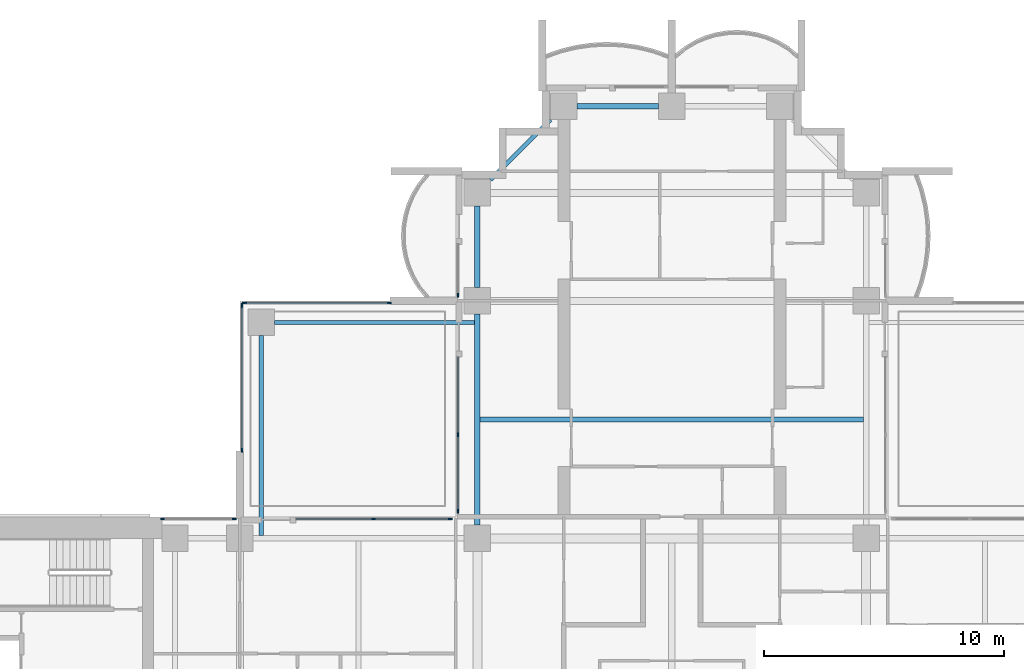
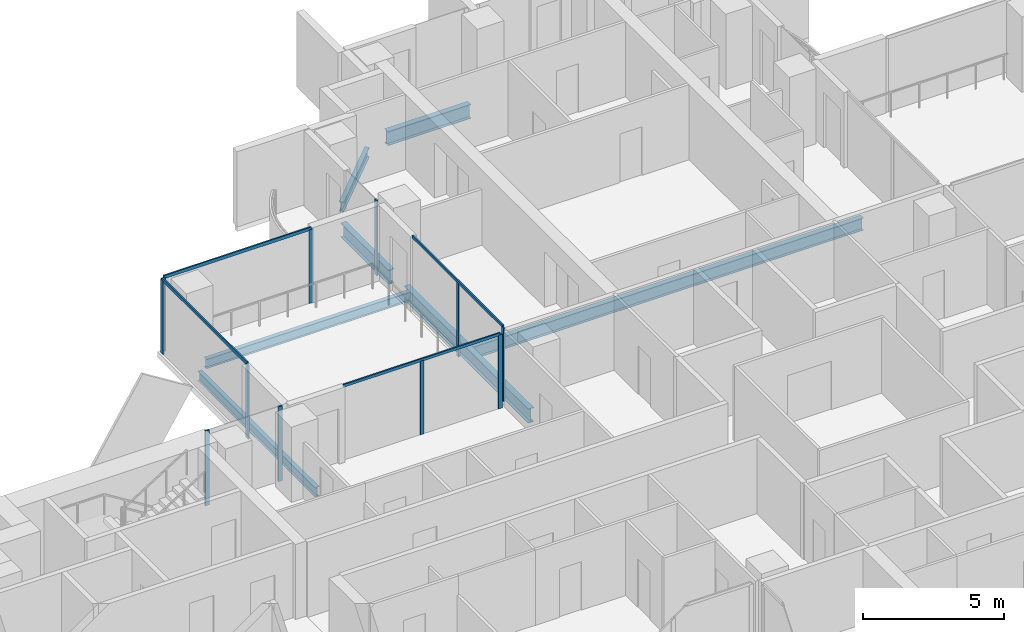
# One storey, part 5 of 19: 15 members, 7 beams, 6 elements without a shape of their own.
"""IFC4 building model written with IfcOpenShell, lengths in metres."""

from ifc_helpers import new_model, si_unit, direction, frame, origin, origin_2d, place, context, subcontext, project, spatial, rectangle, i_section, extrude, material, material_profile, profile_set, type_object, element, aggregate, save


model = new_model("IFC4")

# Units and contexts
model_context = context("Model", 3, precision=1e-05, world=origin(), true_north=direction((0.0, 1.0)))
body_context = subcontext(model_context, "Body", "Model", "MODEL_VIEW")
ifc_project = project(units=[si_unit("LENGTHUNIT", "METRE"), si_unit("AREAUNIT", "SQUARE_METRE"), si_unit("VOLUMEUNIT", "CUBIC_METRE"), si_unit("PLANEANGLEUNIT", "RADIAN"), si_unit("MASSUNIT", "GRAM", prefix="KILO")], contexts=[model_context])

# Site, building, storey
site_placement = place(None, origin())
site = spatial("IfcSite", under=ifc_project, at=site_placement, CompositionType="ELEMENT")
building_placement = place(site_placement, origin())
building = spatial("IfcBuilding", under=site, at=building_placement, Name="Perihelion Cross Residences", CompositionType="ELEMENT")
storey_placement = place(building_placement, frame((0.0, 0.0, 116.39990234375)))
storey = spatial("IfcBuildingStorey", under=building, at=storey_placement, Name="L27", CompositionType="ELEMENT", Elevation=116.39990234375)

# Curtain wall, member
ifc_material_1 = material(Name="Bronze anodised aluminium, tinted glazing", Category="aluminium")
curtain_wall_type_1 = type_object("IfcCurtainWallType", Name="CW1", PredefinedType="NOTDEFINED", material=ifc_material_1)
curtain_wall_1_placement = place(storey_placement, origin())
curtain_wall_1 = element("IfcCurtainWall", 1, at=curtain_wall_1_placement, inside=storey, type_object=curtain_wall_type_1, Name="Curtain wall CW1 L27 north side west bay 1", PredefinedType="NOTDEFINED")
ifc_material_2 = material(Name="Bronze anodised aluminium", Category="aluminium")
ifc_material_profile_1 = material_profile(ifc_material_2, rectangle(XDim=0.06005859375, YDim=0.159912109375, at=origin_2d()), Name="CW1 mullion")
ifc_profile_set_1 = profile_set([ifc_material_profile_1], Name="Bronze anodised aluminium")
member_type_1 = type_object("IfcMemberType", Name="CW1 mullion", PredefinedType="MULLION", material=ifc_profile_set_1)
member_1_placement = place(storey_placement, frame((-8.89990234375, 18.22998046875, 0.0), z_axis=(0.0, 0.0, 1.0), x_axis=(1.0, 0.0, 0.0)))
member_1 = element("IfcMember", 2, at=member_1_placement, type_object=member_type_1, Name="CW1 mullion 2", PredefinedType="MULLION", context=body_context, shape_type="SweptSolid", body=[
    extrude(rectangle(XDim=0.06005859375, YDim=0.159912109375, at=origin_2d()), origin(), (0.0, 0.0, 1.0), 3.25),
])
aggregate(curtain_wall_1, [member_1])

# Curtain wall, members
curtain_wall_2_placement = place(storey_placement, origin())
curtain_wall_2 = element("IfcCurtainWall", 3, at=curtain_wall_2_placement, inside=storey, type_object=curtain_wall_type_1, Name="Curtain wall CW1 L27 north side west bay 2", PredefinedType="NOTDEFINED")
member_2_placement = place(storey_placement, frame((-8.89990234375, 12.425048828125, 0.0), z_axis=(0.0, 0.0, 1.0), x_axis=(1.0, 0.0, 0.0)))
member_2 = element("IfcMember", 4, at=member_2_placement, type_object=member_type_1, Name="CW1 mullion 2", PredefinedType="MULLION", context=body_context, shape_type="SweptSolid", body=[
    extrude(rectangle(XDim=0.06005859375, YDim=0.159912109375, at=origin_2d()), origin(), (0.0, 0.0, 1.0), 3.190185546875),
])
member_3_placement = place(storey_placement, frame((-8.89990234375, 9.22998046875, 0.0), z_axis=(0.0, 0.0, 1.0), x_axis=(1.0, 0.0, 0.0)))
member_3 = element("IfcMember", 5, at=member_3_placement, type_object=member_type_1, Name="CW1 mullion 3", PredefinedType="MULLION", context=body_context, shape_type="SweptSolid", body=[
    extrude(rectangle(XDim=0.06005859375, YDim=0.159912109375, at=origin_2d()), origin(), (0.0, 0.0, 1.0), 3.190185546875),
])

curtain_wall_3_placement = place(storey_placement, origin())
curtain_wall_3 = element("IfcCurtainWall", 6, at=curtain_wall_3_placement, inside=storey, type_object=curtain_wall_type_1, Name="Curtain wall CW1 L27 west side north bay 1", PredefinedType="NOTDEFINED")
member_4_placement = place(storey_placement, frame((-9.22998046875, 8.89990234375, 0.0), z_axis=(0.0, 0.0, 1.0), x_axis=(0.0, -1.0, 0.0)))
member_4 = element("IfcMember", 7, at=member_4_placement, type_object=member_type_1, Name="CW1 mullion 1", PredefinedType="MULLION", context=body_context, shape_type="SweptSolid", body=[
    extrude(rectangle(XDim=0.06005859375, YDim=0.159912109375, at=origin_2d()), origin(), (0.0, 0.0, 1.0), 3.190185546875),
])
member_5_placement = place(storey_placement, frame((-12.425048828125, 8.89990234375, 0.0), z_axis=(0.0, 0.0, 1.0), x_axis=(0.0, -1.0, 0.0)))
member_5 = element("IfcMember", 8, at=member_5_placement, type_object=member_type_1, Name="CW1 mullion 2", PredefinedType="MULLION", context=body_context, shape_type="SweptSolid", body=[
    extrude(rectangle(XDim=0.06005859375, YDim=0.159912109375, at=origin_2d()), origin(), (0.0, 0.0, 1.0), 3.190185546875),
])

curtain_wall_4_placement = place(storey_placement, origin())
curtain_wall_4 = element("IfcCurtainWall", 9, at=curtain_wall_4_placement, inside=storey, type_object=curtain_wall_type_1, Name="Curtain wall CW1 L27 west side north bay 2", PredefinedType="NOTDEFINED")
member_6_placement = place(storey_placement, frame((-18.22998046875, 8.89990234375, 0.0), z_axis=(0.0, 0.0, 1.0), x_axis=(0.0, -1.0, 0.0)))
member_6 = element("IfcMember", 10, at=member_6_placement, type_object=member_type_1, Name="CW1 mullion 1", PredefinedType="MULLION", context=body_context, shape_type="SweptSolid", body=[
    extrude(rectangle(XDim=0.06005859375, YDim=0.159912109375, at=origin_2d()), origin(), (0.0, 0.0, 1.0), 3.25),
])
member_7_placement = place(storey_placement, frame((-21.219970703125, 8.89990234375, 0.0), z_axis=(0.0, 0.0, 1.0), x_axis=(0.0, -1.0, 0.0)))
member_7 = element("IfcMember", 11, at=member_7_placement, type_object=member_type_1, Name="CW1 mullion 2", PredefinedType="MULLION", context=body_context, shape_type="SweptSolid", body=[
    extrude(rectangle(XDim=0.06005859375, YDim=0.159912109375, at=origin_2d()), origin(), (0.0, 0.0, 1.0), 3.25),
])
aggregate(curtain_wall_4, [member_6, member_7])

# Member
ifc_material_3 = material(Name="Bronze anodised aluminium", Category="aluminium")
ifc_material_profile_2 = material_profile(ifc_material_3, rectangle(XDim=0.06005859375, YDim=0.1201171875, at=origin_2d()), Name="CW1 transom")
ifc_profile_set_2 = profile_set([ifc_material_profile_2], Name="Bronze anodised aluminium")
member_type_2 = type_object("IfcMemberType", Name="CW1 transom", PredefinedType="USERDEFINED", material=ifc_profile_set_2)
member_8_placement = place(storey_placement, frame((-8.89990234375, 15.64990234375, 3.22021484375), z_axis=(0.0, -1.0, 0.0), x_axis=(1.0, 0.0, 0.0)))
member_8 = element("IfcMember", 12, at=member_8_placement, type_object=member_type_2, Name="CW1 head transom", ObjectType="TRANSOM", PredefinedType="USERDEFINED", context=body_context, shape_type="SweptSolid", body=[
    extrude(rectangle(XDim=0.06005859375, YDim=0.1201171875, at=origin_2d()), origin(), (0.0, 0.0, 1.0), 6.419921875),
])

aggregate(curtain_wall_2, [member_2, member_3, member_8])

member_9_placement = place(storey_placement, frame((-9.22998046875, 8.89990234375, 3.22021484375), z_axis=(-1.0, 0.0, 0.0), x_axis=(0.0, -1.0, 0.0)))
member_9 = element("IfcMember", 13, at=member_9_placement, type_object=member_type_2, Name="CW1 head transom", ObjectType="TRANSOM", PredefinedType="USERDEFINED", context=body_context, shape_type="SweptSolid", body=[
    extrude(rectangle(XDim=0.06005859375, YDim=0.1201171875, at=origin_2d()), origin(), (0.0, 0.0, 1.0), 6.419921875),
])

aggregate(curtain_wall_3, [member_4, member_5, member_9])

# Curtain wall, members
ifc_material_4 = material(Name="Bronze anodised aluminium, tinted glazing", Category="aluminium")
curtain_wall_type_2 = type_object("IfcCurtainWallType", Name="CW4", PredefinedType="NOTDEFINED", material=ifc_material_4)
curtain_wall_5_placement = place(storey_placement, origin())
curtain_wall_5 = element("IfcCurtainWall", 14, at=curtain_wall_5_placement, inside=storey, type_object=curtain_wall_type_2, Name="Curtain wall CW4 L27 pocket north-west 1 1", PredefinedType="NOTDEFINED")
ifc_material_5 = material(Name="Bronze anodised aluminium", Category="aluminium")
ifc_material_profile_3 = material_profile(ifc_material_5, rectangle(XDim=0.06005859375, YDim=0.179931640625, at=origin_2d()), Name="CW4 mullion")
ifc_profile_set_3 = profile_set([ifc_material_profile_3], Name="Bronze anodised aluminium")
member_type_3 = type_object("IfcMemberType", Name="CW4 mullion", PredefinedType="MULLION", material=ifc_profile_set_3)
member_10_placement = place(storey_placement, frame((-17.89990234375, 11.77001953125, 0.0), z_axis=(0.0, 0.0, 1.0), x_axis=(-1.0, 0.0, 0.0)))
member_10 = element("IfcMember", 15, at=member_10_placement, type_object=member_type_3, Name="CW4 mullion 1", PredefinedType="MULLION", context=body_context, shape_type="SweptSolid", body=[
    extrude(rectangle(XDim=0.06005859375, YDim=0.179931640625, at=origin_2d()), origin(), (0.0, 0.0, 1.0), 3.190185546875),
])
member_11_placement = place(storey_placement, frame((-17.89990234375, 17.800048828125, 0.0), z_axis=(0.0, 0.0, 1.0), x_axis=(-1.0, 0.0, 0.0)))
member_11 = element("IfcMember", 16, at=member_11_placement, type_object=member_type_3, Name="CW4 mullion 2", PredefinedType="MULLION", context=body_context, shape_type="SweptSolid", body=[
    extrude(rectangle(XDim=0.06005859375, YDim=0.179931640625, at=origin_2d()), origin(), (0.0, 0.0, 1.0), 3.190185546875),
])

curtain_wall_6_placement = place(storey_placement, origin())
curtain_wall_6 = element("IfcCurtainWall", 17, at=curtain_wall_6_placement, inside=storey, type_object=curtain_wall_type_2, Name="Curtain wall CW4 L27 pocket north-west 1 2", PredefinedType="NOTDEFINED")
member_12_placement = place(storey_placement, frame((-17.800048828125, 17.89990234375, 0.0), z_axis=(0.0, 0.0, 1.0), x_axis=(0.0, 1.0, 0.0)))
member_12 = element("IfcMember", 18, at=member_12_placement, type_object=member_type_3, Name="CW4 mullion 1", PredefinedType="MULLION", context=body_context, shape_type="SweptSolid", body=[
    extrude(rectangle(XDim=0.06005859375, YDim=0.179931640625, at=origin_2d()), origin(), (0.0, 0.0, 1.0), 3.190185546875),
])
member_13_placement = place(storey_placement, frame((-11.77001953125, 17.89990234375, 0.0), z_axis=(0.0, 0.0, 1.0), x_axis=(0.0, 1.0, 0.0)))
member_13 = element("IfcMember", 19, at=member_13_placement, type_object=member_type_3, Name="CW4 mullion 2", PredefinedType="MULLION", context=body_context, shape_type="SweptSolid", body=[
    extrude(rectangle(XDim=0.06005859375, YDim=0.179931640625, at=origin_2d()), origin(), (0.0, 0.0, 1.0), 3.190185546875),
])

# Member
ifc_material_6 = material(Name="Bronze anodised aluminium", Category="aluminium")
ifc_material_profile_4 = material_profile(ifc_material_6, rectangle(XDim=0.06005859375, YDim=0.139892578125, at=origin_2d()), Name="CW4 transom")
ifc_profile_set_4 = profile_set([ifc_material_profile_4], Name="Bronze anodised aluminium")
member_type_4 = type_object("IfcMemberType", Name="CW4 transom", PredefinedType="USERDEFINED", material=ifc_profile_set_4)
member_14_placement = place(storey_placement, frame((-17.89990234375, 11.77001953125, 3.22021484375), z_axis=(0.0, 1.0, 0.0), x_axis=(-1.0, 0.0, 0.0)))
member_14 = element("IfcMember", 20, at=member_14_placement, type_object=member_type_4, Name="CW4 head transom", ObjectType="TRANSOM", PredefinedType="USERDEFINED", context=body_context, shape_type="SweptSolid", body=[
    extrude(rectangle(XDim=0.06005859375, YDim=0.139892578125, at=origin_2d()), origin(), (0.0, 0.0, 1.0), 6.030029296875),
])

aggregate(curtain_wall_5, [member_10, member_11, member_14])

member_15_placement = place(storey_placement, frame((-17.800048828125, 17.89990234375, 3.22021484375), z_axis=(1.0, 0.0, 0.0), x_axis=(0.0, 1.0, 0.0)))
member_15 = element("IfcMember", 21, at=member_15_placement, type_object=member_type_4, Name="CW4 head transom", ObjectType="TRANSOM", PredefinedType="USERDEFINED", context=body_context, shape_type="SweptSolid", body=[
    extrude(rectangle(XDim=0.06005859375, YDim=0.139892578125, at=origin_2d()), origin(), (0.0, 0.0, 1.0), 6.030029296875),
])

aggregate(curtain_wall_6, [member_12, member_13, member_15])

# Beams
ifc_material_7 = material(Name="Steel S355", Category="steel")
ifc_material_profile_5 = material_profile(ifc_material_7, i_section(OverallWidth=0.177978515625, OverallDepth=0.406005859375, WebThickness=0.0078125, FlangeThickness=0.0126953125, at=origin_2d()), Name="W410x60")
ifc_profile_set_5 = profile_set([ifc_material_profile_5], Name="Steel S355")
beam_type_1 = type_object("IfcBeamType", Name="Core edge beam W410x60", PredefinedType="BEAM", material=ifc_profile_set_5)
for number, where, z_axis, x_axis, name in (
    (22, (-17.10009765625, 8.214599609375, -0.452880859375), (0.0, 1.0, 0.0), (-1.0, 0.0, 0.0), "Core edge beam TB2 L27 corner no. 3"),
    (23, (-8.214599609375, 17.10009765625, -0.452880859375), (-1.0, 0.0, 0.0), (0.0, -1.0, 0.0), "Core edge beam TB2 L27 corner no. 4"),
):
    element("IfcBeam", number, at=place(storey_placement, frame(where, z_axis=z_axis, x_axis=x_axis)), inside=storey, type_object=beam_type_1, Name=name, PredefinedType="BEAM", context=body_context, shape_type="SweptSolid", body=[
        extrude(i_section(OverallWidth=0.177978515625, OverallDepth=0.406005859375, WebThickness=0.0078125, FlangeThickness=0.0126953125, at=origin_2d()), origin(), (0.0, 0.0, 1.0), 8.33544921875),
    ])
ifc_material_8 = material(Name="Steel S355", Category="steel")
ifc_material_profile_6 = material_profile(ifc_material_8, i_section(OverallWidth=0.22900390625, OverallDepth=0.612060546875, WebThickness=0.011962890625, FlangeThickness=0.01953125, at=origin_2d()), Name="W610x125")
ifc_profile_set_6 = profile_set([ifc_material_profile_6], Name="Steel S355")
beam_type_2 = type_object("IfcBeamType", Name="Edge beam W610x125", PredefinedType="SPANDREL", material=ifc_profile_set_6)
for number, where, z_axis, x_axis, name in (
    (24, (-0.550048828125, 26.10009765625, -0.555908203125), (-1.0, 0.0, 0.0), (0.0, -1.0, 0.0), "Edge beam SB3 L27 no. 10"),
    (25, (-8.10009765625, 21.949951171875, -0.555908203125), (0.0, -1.0, 0.0), (1.0, 0.0, 0.0), "Edge beam SB3 L27 no. 7"),
):
    element("IfcBeam", number, at=place(storey_placement, frame(where, z_axis=z_axis, x_axis=x_axis)), inside=storey, type_object=beam_type_2, Name=name, PredefinedType="SPANDREL", context=body_context, shape_type="SweptSolid", body=[
        extrude(i_section(OverallWidth=0.22900390625, OverallDepth=0.612060546875, WebThickness=0.011962890625, FlangeThickness=0.01953125, at=origin_2d()), origin(), (0.0, 0.0, 1.0), 3.39990234375),
    ])
beam_1_placement = place(storey_placement, frame((-8.10009765625, 17.449951171875, -0.555908203125), z_axis=(0.0, -1.0, 0.0), x_axis=(1.0, 0.0, 0.0)))
element("IfcBeam", 26, at=beam_1_placement, inside=storey, type_object=beam_type_2, Name="Edge beam SB3 L27 no. 6", PredefinedType="SPANDREL", context=body_context, shape_type="SweptSolid", body=[
    extrude(i_section(OverallWidth=0.22900390625, OverallDepth=0.612060546875, WebThickness=0.011962890625, FlangeThickness=0.01953125, at=origin_2d()), origin(), (0.0, 0.0, 1.0), 8.800048828125),
])
ifc_material_9 = material(Name="Steel S355", Category="steel")
ifc_material_profile_7 = material_profile(ifc_material_9, i_section(OverallWidth=0.208984375, OverallDepth=0.532958984375, WebThickness=0.01025390625, FlangeThickness=0.015625, at=origin_2d()), Name="W530x92")
ifc_profile_set_7 = profile_set([ifc_material_profile_7], Name="Steel S355")
beam_type_3 = type_object("IfcBeamType", Name="Floor joist W530x92", PredefinedType="JOIST", material=ifc_profile_set_7)
beam_2_placement = place(storey_placement, frame((-7.985595703125, 13.050048828125, -0.516357421875), z_axis=(1.0, 0.0, 0.0), x_axis=(0.0, 1.0, 0.0)))
element("IfcBeam", 27, at=beam_2_placement, inside=storey, type_object=beam_type_3, Name="Joist J4 L27 no. 4", PredefinedType="JOIST", context=body_context, shape_type="SweptSolid", body=[
    extrude(i_section(OverallWidth=0.208984375, OverallDepth=0.532958984375, WebThickness=0.01025390625, FlangeThickness=0.015625, at=origin_2d()), origin(), (0.0, 0.0, 1.0), 15.97119140625),
])
ifc_material_10 = material(Name="Steel S355", Category="steel")
ifc_material_profile_8 = material_profile(ifc_material_10, i_section(OverallWidth=0.180908203125, OverallDepth=0.4169921875, WebThickness=0.010986328125, FlangeThickness=0.018310546875, at=origin_2d()), Name="W410x85")
ifc_profile_set_8 = profile_set([ifc_material_profile_8], Name="Steel S355")
beam_type_4 = type_object("IfcBeamType", Name="Serration edge beam W410x85", PredefinedType="BEAM", material=ifc_profile_set_8)
beam_3_placement = place(storey_placement, frame((-5.050048828125, 25.550048828125, -0.45849609375), z_axis=(-0.707106781187, -0.707106781187, 0.0), x_axis=(0.707106781187, -0.707106781187, 0.0)))
element("IfcBeam", 28, at=beam_3_placement, inside=storey, type_object=beam_type_4, Name="Serration edge beam EB3 L27 no. 1", PredefinedType="BEAM", context=body_context, shape_type="SweptSolid", body=[
    extrude(i_section(OverallWidth=0.180908203125, OverallDepth=0.4169921875, WebThickness=0.010986328125, FlangeThickness=0.018310546875, at=origin_2d()), origin(), (0.0, 0.0, 1.0), 3.53564453125),
])

save(model, "model.ifc")
